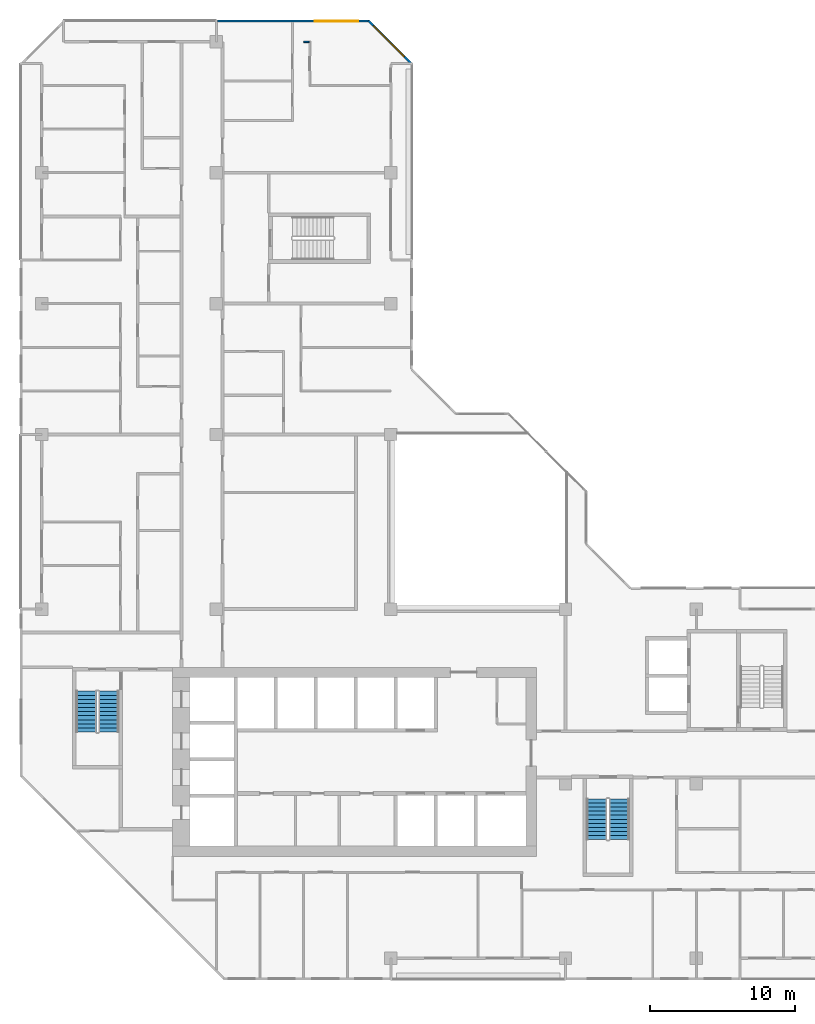
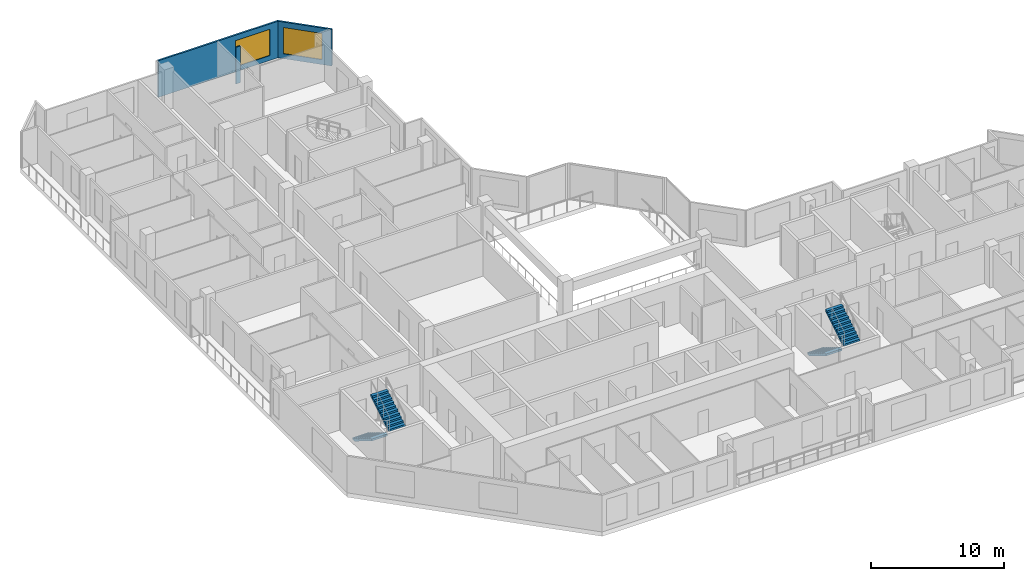
# One storey, part 13 of 16: 4 stair flights, 3 walls, 2 windows, 2 openings, 2 elements without a shape of their own.
"""IFC4 building model written with IfcOpenShell, lengths in metres."""

from ifc_helpers import new_model, si_unit, direction, frame, frame_2d, origin, place, context, subcontext, project, spatial, polyline, rectangle, outline, extrude, material, layer, layer_set, type_object, element, fill, aggregate, save


model = new_model("IFC4")

# Units and contexts
model_context = context("Model", 3, precision=1e-05, world=origin(), true_north=direction((0.0, 1.0)))
body_context = subcontext(model_context, "Body", "Model", "MODEL_VIEW")
ifc_project = project(units=[si_unit("LENGTHUNIT", "METRE"), si_unit("AREAUNIT", "SQUARE_METRE"), si_unit("VOLUMEUNIT", "CUBIC_METRE"), si_unit("PLANEANGLEUNIT", "RADIAN"), si_unit("MASSUNIT", "GRAM", prefix="KILO")], contexts=[model_context])

# Site, building, storey
site_placement = place(None, origin())
site = spatial("IfcSite", under=ifc_project, at=site_placement, CompositionType="ELEMENT")
building_placement = place(site_placement, origin())
building = spatial("IfcBuilding", under=site, at=building_placement, Name="Chenar Terraces", CompositionType="ELEMENT")
storey_placement = place(building_placement, frame((0.0, 0.0, 222.89990234375)))
storey = spatial("IfcBuildingStorey", under=building, at=storey_placement, Name="L52", CompositionType="ELEMENT", Elevation=222.89990234375)

# Wall, opening, window
ifc_material_1 = material(Name="Aluminium framed glazing", Category="aluminium")
ifc_layer_1 = layer(ifc_material_1, 0.14990234375)
ifc_layer_set_1 = layer_set([ifc_layer_1], Name="Aluminium framed glazing")
wall_type_1 = type_object("IfcWallType", Name="Glazed flush facade wall 150", PredefinedType="SOLIDWALL", material=ifc_layer_set_1)
wall_1_placement = place(storey_placement, frame((22.5, 64.425048828125, 0.0), z_axis=(0.0, 0.0, 1.0), x_axis=(-1.0, 0.0, 0.0)))
wall_1 = element("IfcWall", 1, at=wall_1_placement, inside=storey, type_object=wall_type_1, Name="Glazed flush facade wall", PredefinedType="SOLIDWALL", context=body_context, shape_type="SweptSolid", body=[
    extrude(rectangle(XDim=10.425048828125, YDim=0.14990234375, at=frame_2d((5.21240234375, 0.0))), origin(), (0.0, 0.0, 1.0), 3.35009765625),
])
opening_1_placement = place(wall_1_placement, frame((0.75, 0.0, 0.449951171875)))
opening_1 = element("IfcOpeningElement", 2, at=opening_1_placement, cuts=wall_1, Name="Opening W300x240", PredefinedType="OPENING", context=body_context, shape_type="SweptSolid", body=[
    extrude(rectangle(XDim=3.0, YDim=2.39990234375, at=frame_2d((1.5, 1.199951171875))), frame((0.0, 0.0849609375, 0.0), z_axis=(0.0, -1.0, 0.0), x_axis=(1.0, 0.0, 0.0)), (0.0, 0.0, 1.0), 0.169921875),
])
ifc_material_2 = material(Name="Low emissivity double glazing, aluminium frame", Category="aluminium")
window_type = type_object("IfcWindowType", Name="Fixed light 3000 x 2400", PartitioningType="SINGLE_PANEL", PredefinedType="WINDOW", material=ifc_material_2)
window_1_placement = place(opening_1_placement, origin())
window_1 = element("IfcWindow", 3, at=window_1_placement, inside=storey, type_object=window_type, Name="Window", OverallHeight=2.39990234375, OverallWidth=3.0, PartitioningType="SINGLE_PANEL", PredefinedType="WINDOW", context=body_context, shape_type="SweptSolid", body=[
    extrude(rectangle(XDim=3.0, YDim=2.39990234375, at=frame_2d((1.5, 1.199951171875))), frame((0.0, 0.030029296875, 0.0), z_axis=(0.0, -1.0, 0.0), x_axis=(1.0, 0.0, 0.0)), (0.0, 0.0, 1.0), 0.06005859375),
])
fill(opening_1, window_1)

# Wall
ifc_material_3 = material(Name="Gypsum board on steel studs", Category="steel")
ifc_layer_2 = layer(ifc_material_3, 0.10009765625)
ifc_layer_set_2 = layer_set([ifc_layer_2], Name="Gypsum board on steel studs")
wall_type_2 = type_object("IfcWallType", Name="Gypsum partition 100", PredefinedType="PARTITIONING", material=ifc_layer_set_2)
wall_2_placement = place(storey_placement, frame((18.0, 63.0, 0.0), z_axis=(0.0, 0.0, 1.0), x_axis=(1.0, 0.0, 0.0)))
element("IfcWall", 4, at=wall_2_placement, inside=storey, type_object=wall_type_2, Name="Partition L52-055", PredefinedType="PARTITIONING", context=body_context, shape_type="SweptSolid", body=[
    extrude(rectangle(XDim=0.375, YDim=0.10009765625, at=frame_2d((0.1875, 0.0))), origin(), (0.0, 0.0, 1.0), 3.35009765625),
])

# Wall, opening, window
ifc_material_4 = material(Name="Terracotta cladding on insulated backing", Category="masonry")
ifc_layer_3 = layer(ifc_material_4, 0.14990234375)
ifc_layer_set_3 = layer_set([ifc_layer_3], Name="Terracotta cladding on insulated backing")
wall_type_3 = type_object("IfcWallType", Name="Terracotta rainscreen wall 150", PredefinedType="SOLIDWALL", material=ifc_layer_set_3)
wall_3_placement = place(storey_placement, frame((25.447021484375, 61.447021484375, 0.0), z_axis=(0.0, 0.0, 1.0), x_axis=(-0.707106781187, 0.707106781187, 0.0)))
wall_3 = element("IfcWall", 5, at=wall_3_placement, inside=storey, type_object=wall_type_3, Name="Terracotta rainscreen wall", PredefinedType="SOLIDWALL", context=body_context, shape_type="SweptSolid", body=[
    extrude(rectangle(XDim=4.24267578125, YDim=0.14990234375, at=frame_2d((2.121337890625, 0.0))), origin(), (0.0, 0.0, 1.0), 3.35009765625),
])
opening_2_placement = place(wall_3_placement, frame((0.744384765625, 0.0, 0.449951171875)))
opening_2 = element("IfcOpeningElement", 6, at=opening_2_placement, cuts=wall_3, Name="Opening W300x240", PredefinedType="OPENING", context=body_context, shape_type="SweptSolid", body=[
    extrude(rectangle(XDim=3.0, YDim=2.39990234375, at=frame_2d((1.5, 1.199951171875))), frame((0.0, 0.0849609375, 0.0), z_axis=(0.0, -1.0, 0.0), x_axis=(1.0, 0.0, 0.0)), (0.0, 0.0, 1.0), 0.169921875),
])
window_2_placement = place(opening_2_placement, origin())
window_2 = element("IfcWindow", 7, at=window_2_placement, inside=storey, type_object=window_type, Name="Window", OverallHeight=2.39990234375, OverallWidth=3.0, PartitioningType="SINGLE_PANEL", PredefinedType="WINDOW", context=body_context, shape_type="SweptSolid", body=[
    extrude(rectangle(XDim=3.0, YDim=2.39990234375, at=frame_2d((1.5, 1.199951171875))), frame((0.0, 0.030029296875, 0.0), z_axis=(0.0, -1.0, 0.0), x_axis=(1.0, 0.0, 0.0)), (0.0, 0.0, 1.0), 0.06005859375),
])
fill(opening_2, window_2)

# Stair, stair flights
ifc_material_5 = material(Name="Reinforced concrete C40/50", Category="concrete")
stair_type = type_object("IfcStairType", Name="Core stair 1400 half-turn", PredefinedType="HALF_TURN_STAIR", material=ifc_material_5)
placement = place(storey_placement, origin())
stair_1 = element("IfcStair", 8, at=placement, inside=storey, type_object=stair_type, Name="L52 Stair 1", PredefinedType="HALF_TURN_STAIR")
ifc_material_6 = material(Name="Reinforced concrete C40/50", Category="concrete")
stair_flight_type = type_object("IfcStairFlightType", Name="Core stair flight 1400", PredefinedType="STRAIGHT", material=ifc_material_6)
stair_flight_1_placement = place(storey_placement, frame((3.050048828125, 18.35009765625, 0.0), z_axis=(0.0, 0.0, 1.0), x_axis=(0.0, -1.0, 0.0)))
stair_flight_1 = element("IfcStairFlight", 9, at=stair_flight_1_placement, type_object=stair_flight_type, Name="ST1 flight 1", NumberOfRisers=11, NumberOfTreads=10, PredefinedType="STRAIGHT", RiserHeight=0.170454545, TreadLength=0.28, context=body_context, shape_type="SweptSolid", body=[
    extrude(outline(polyline([(-0.0029296875, 0.0), (-0.0029296875, 0.17041015625), (0.0, 0.17041015625), (0.280029296875, 0.17041015625), (0.280029296875, 0.3408203125), (0.56005859375, 0.3408203125), (0.56005859375, 0.511474609375), (0.840087890625, 0.511474609375), (0.840087890625, 0.681884765625), (1.1201171875, 0.681884765625), (1.1201171875, 0.852294921875), (1.39990234375, 0.852294921875), (1.39990234375, 1.022705078125), (1.679931640625, 1.022705078125), (1.679931640625, 1.193115234375), (1.9599609375, 1.193115234375), (1.9599609375, 1.363525390625), (2.239990234375, 1.363525390625), (2.239990234375, 1.5341796875), (2.52001953125, 1.5341796875), (2.52001953125, 1.70458984375), (2.800048828125, 1.70458984375), (2.802978515625, 1.70458984375), (2.802978515625, 1.529052734375), (2.800048828125, 1.529052734375), (0.288330078125, 0.0), (-0.0029296875, 0.0)])), frame((0.0, 0.699951171875, 0.0), z_axis=(0.0, -1.0, 0.0), x_axis=(1.0, 0.0, 0.0)), (0.0, 0.0, 1.0), 1.39990234375),
])
stair_flight_2_placement = place(storey_placement, frame((4.60009765625, 15.550048828125, 1.875), z_axis=(0.0, 0.0, 1.0), x_axis=(0.0, 1.0, 0.0)))
stair_flight_2 = element("IfcStairFlight", 10, at=stair_flight_2_placement, type_object=stair_flight_type, Name="ST1 flight 2", NumberOfRisers=11, NumberOfTreads=10, PredefinedType="STRAIGHT", RiserHeight=0.170454545, TreadLength=0.28, context=body_context, shape_type="SweptSolid", body=[
    extrude(outline(polyline([(-0.0029296875, 0.0), (-0.0029296875, 0.17041015625), (0.0, 0.17041015625), (0.280029296875, 0.17041015625), (0.280029296875, 0.3408203125), (0.56005859375, 0.3408203125), (0.56005859375, 0.511474609375), (0.840087890625, 0.511474609375), (0.840087890625, 0.681884765625), (1.1201171875, 0.681884765625), (1.1201171875, 0.852294921875), (1.39990234375, 0.852294921875), (1.39990234375, 1.022705078125), (1.679931640625, 1.022705078125), (1.679931640625, 1.193115234375), (1.9599609375, 1.193115234375), (1.9599609375, 1.363525390625), (2.239990234375, 1.363525390625), (2.239990234375, 1.5341796875), (2.52001953125, 1.5341796875), (2.52001953125, 1.70458984375), (2.800048828125, 1.70458984375), (2.802978515625, 1.70458984375), (2.802978515625, 1.529052734375), (2.800048828125, 1.529052734375), (0.288330078125, 0.0), (-0.0029296875, 0.0)])), frame((0.0, 0.699951171875, 0.0), z_axis=(0.0, -1.0, 0.0), x_axis=(1.0, 0.0, 0.0)), (0.0, 0.0, 1.0), 1.39990234375),
])
aggregate(stair_1, [stair_flight_1, stair_flight_2])

stair_2 = element("IfcStair", 11, at=placement, inside=storey, type_object=stair_type, Name="L52 Stair 2", PredefinedType="HALF_TURN_STAIR")
stair_flight_3_placement = place(storey_placement, frame((38.14990234375, 10.949951171875, 0.0), z_axis=(0.0, 0.0, 1.0), x_axis=(0.0, -1.0, 0.0)))
stair_flight_3 = element("IfcStairFlight", 12, at=stair_flight_3_placement, type_object=stair_flight_type, Name="ST2 flight 1", NumberOfRisers=11, NumberOfTreads=10, PredefinedType="STRAIGHT", RiserHeight=0.170454545, TreadLength=0.28, context=body_context, shape_type="SweptSolid", body=[
    extrude(outline(polyline([(-0.0029296875, 0.0), (-0.0029296875, 0.17041015625), (0.0, 0.17041015625), (0.280029296875, 0.17041015625), (0.280029296875, 0.3408203125), (0.56005859375, 0.3408203125), (0.56005859375, 0.511474609375), (0.840087890625, 0.511474609375), (0.840087890625, 0.681884765625), (1.1201171875, 0.681884765625), (1.1201171875, 0.852294921875), (1.39990234375, 0.852294921875), (1.39990234375, 1.022705078125), (1.679931640625, 1.022705078125), (1.679931640625, 1.193115234375), (1.9599609375, 1.193115234375), (1.9599609375, 1.363525390625), (2.239990234375, 1.363525390625), (2.239990234375, 1.5341796875), (2.52001953125, 1.5341796875), (2.52001953125, 1.70458984375), (2.800048828125, 1.70458984375), (2.802978515625, 1.70458984375), (2.802978515625, 1.529052734375), (2.800048828125, 1.529052734375), (0.288330078125, 0.0), (-0.0029296875, 0.0)])), frame((0.0, 0.699951171875, 0.0), z_axis=(0.0, -1.0, 0.0), x_axis=(1.0, 0.0, 0.0)), (0.0, 0.0, 1.0), 1.39990234375),
])
stair_flight_4_placement = place(storey_placement, frame((39.699951171875, 8.14990234375, 1.875), z_axis=(0.0, 0.0, 1.0), x_axis=(0.0, 1.0, 0.0)))
stair_flight_4 = element("IfcStairFlight", 13, at=stair_flight_4_placement, type_object=stair_flight_type, Name="ST2 flight 2", NumberOfRisers=11, NumberOfTreads=10, PredefinedType="STRAIGHT", RiserHeight=0.170454545, TreadLength=0.28, context=body_context, shape_type="SweptSolid", body=[
    extrude(outline(polyline([(-0.0029296875, 0.0), (-0.0029296875, 0.17041015625), (0.0, 0.17041015625), (0.280029296875, 0.17041015625), (0.280029296875, 0.3408203125), (0.56005859375, 0.3408203125), (0.56005859375, 0.511474609375), (0.840087890625, 0.511474609375), (0.840087890625, 0.681884765625), (1.1201171875, 0.681884765625), (1.1201171875, 0.852294921875), (1.39990234375, 0.852294921875), (1.39990234375, 1.022705078125), (1.679931640625, 1.022705078125), (1.679931640625, 1.193115234375), (1.9599609375, 1.193115234375), (1.9599609375, 1.363525390625), (2.239990234375, 1.363525390625), (2.239990234375, 1.5341796875), (2.52001953125, 1.5341796875), (2.52001953125, 1.70458984375), (2.800048828125, 1.70458984375), (2.802978515625, 1.70458984375), (2.802978515625, 1.529052734375), (2.800048828125, 1.529052734375), (0.288330078125, 0.0), (-0.0029296875, 0.0)])), frame((0.0, 0.699951171875, 0.0), z_axis=(0.0, -1.0, 0.0), x_axis=(1.0, 0.0, 0.0)), (0.0, 0.0, 1.0), 1.39990234375),
])
aggregate(stair_2, [stair_flight_3, stair_flight_4])

save(model, "model.ifc")
